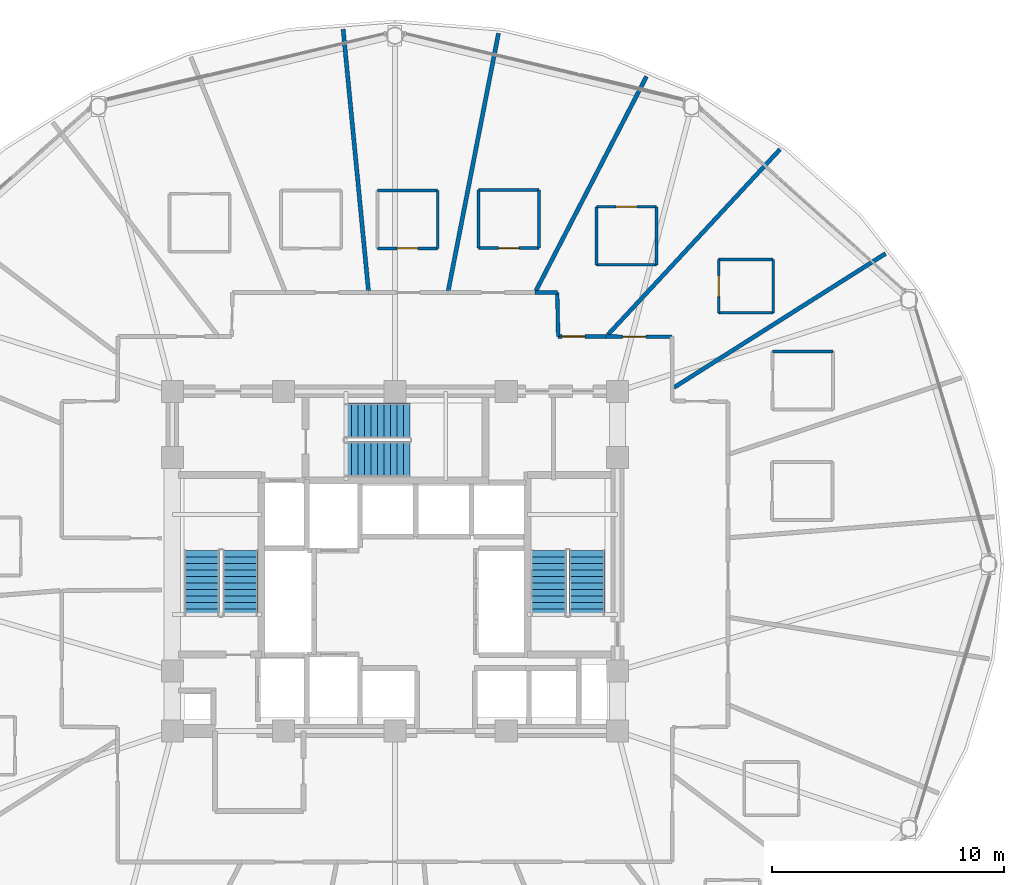
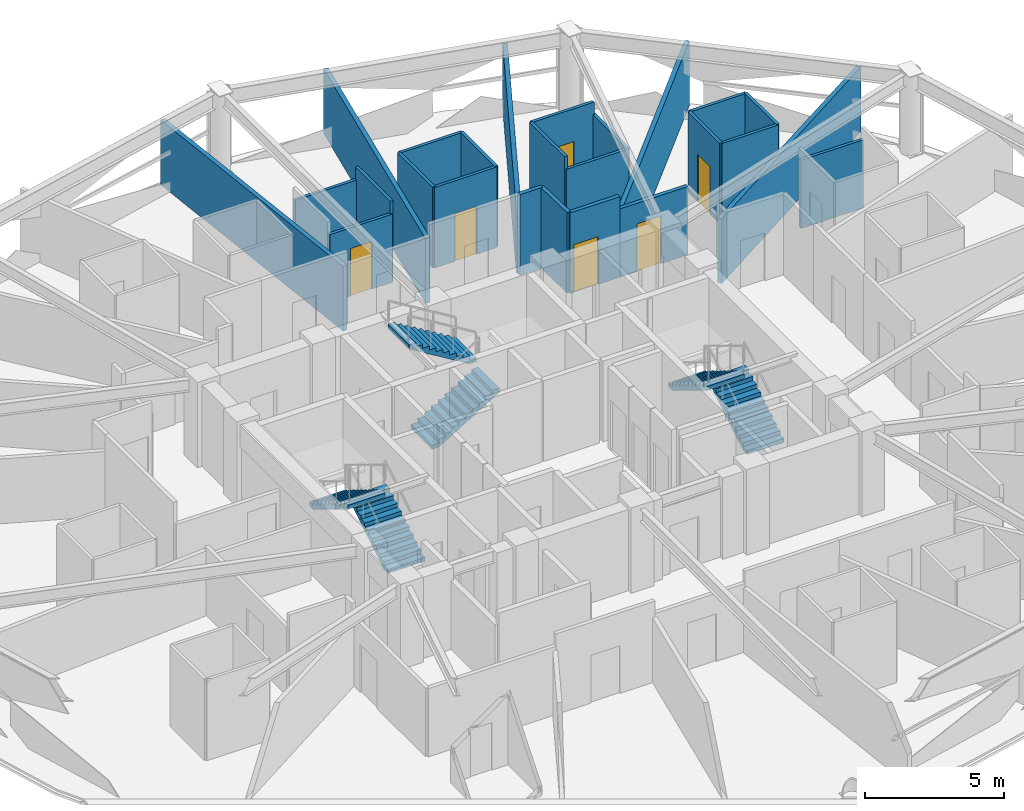
# One storey, part 28 of 32: 25 walls, 6 doors, 6 stair flights, 6 openings, 3 elements without a shape of their own.
"""IFC4 building model written with IfcOpenShell, lengths in metres."""

from ifc_helpers import new_model, si_unit, direction, frame, frame_2d, origin, place, context, subcontext, project, spatial, polyline, rectangle, outline, extrude, material, layer, layer_set, type_object, element, fill, aggregate, save


model = new_model("IFC4")

# Units and contexts
model_context = context("Model", 3, precision=1e-05, world=origin(), true_north=direction((0.0, 1.0)))
body_context = subcontext(model_context, "Body", "Model", "MODEL_VIEW")
ifc_project = project(units=[si_unit("LENGTHUNIT", "METRE"), si_unit("AREAUNIT", "SQUARE_METRE"), si_unit("VOLUMEUNIT", "CUBIC_METRE"), si_unit("PLANEANGLEUNIT", "RADIAN"), si_unit("MASSUNIT", "GRAM", prefix="KILO")], contexts=[model_context])

# Site, building, storey
site_placement = place(None, origin())
site = spatial("IfcSite", under=ifc_project, at=site_placement, CompositionType="ELEMENT")
building_placement = place(site_placement, origin())
building = spatial("IfcBuilding", under=site, at=building_placement, Name="Vantalir Tower", CompositionType="ELEMENT")
storey_placement = place(building_placement, frame((0.0, 0.0, 100.949951171875)))
storey = spatial("IfcBuildingStorey", under=building, at=storey_placement, Name="L24", CompositionType="ELEMENT", Elevation=100.949951171875)

# Walls
ifc_material_1 = material(Name="Moisture-resistant en-suite partition", Category="gypsum")
ifc_layer_1 = layer(ifc_material_1, 0.125)
ifc_layer_set_1 = layer_set([ifc_layer_1], Name="Moisture-resistant en-suite partition")
wall_type_1 = type_object("IfcWallType", Name="WL-BATH-125", PredefinedType="PARTITIONING", material=ifc_layer_set_1)
wall_1_placement = place(storey_placement, frame((47.784912109375, 34.173095703125, 0.0), z_axis=(0.0, 0.0, 1.0), x_axis=(1.0, 0.0, 0.0)))
element("IfcWall", 1, at=wall_1_placement, inside=storey, type_object=wall_type_1, Name="L24 En-suite 02 North Wall", PredefinedType="PARTITIONING", context=body_context, shape_type="SweptSolid", body=[
    extrude(rectangle(XDim=2.60009765625, YDim=0.125, at=frame_2d((1.300048828125, 0.0))), origin(), (0.0, 0.0, 1.0), 3.006103515625),
])
for number, where, z_axis, x_axis, name in (
    (2, (45.462890625, 35.837890625, 0.0), (0.0, 0.0, 1.0), (1.0, 0.0, 0.0), "L24 En-suite 03 South Wall"),
    (3, (45.462890625, 38.137939453125, 0.0), (0.0, 0.0, 1.0), (1.0, 0.0, 0.0), "L24 En-suite 03 North Wall"),
):
    element("IfcWall", number, at=place(storey_placement, frame(where, z_axis=z_axis, x_axis=x_axis)), inside=storey, type_object=wall_type_1, Name=name, PredefinedType="PARTITIONING", context=body_context, shape_type="SweptSolid", body=[
        extrude(rectangle(XDim=2.35009765625, YDim=0.125, at=frame_2d((1.175048828125, 0.0))), origin(), (0.0, 0.0, 1.0), 3.550048828125),
    ])

# Wall, opening, door
wall_2_placement = place(storey_placement, frame((45.462890625, 35.837890625, 0.0), z_axis=(0.0, 0.0, 1.0), x_axis=(0.0, 1.0, 0.0)))
wall_2 = element("IfcWall", 4, at=wall_2_placement, inside=storey, type_object=wall_type_1, Name="L24 En-suite 03 West Wall", PredefinedType="PARTITIONING", context=body_context, shape_type="SweptSolid", body=[
    extrude(rectangle(XDim=2.300048828125, YDim=0.125, at=frame_2d((1.14990234375, 0.0))), origin(), (0.0, 0.0, 1.0), 3.550048828125),
])
opening_1_placement = place(wall_2_placement, frame((0.699951171875, 0.0, 0.0)))
opening_1 = element("IfcOpeningElement", 5, at=opening_1_placement, cuts=wall_2, Name="Opening D-WC", PredefinedType="OPENING", context=body_context, shape_type="SweptSolid", body=[
    extrude(rectangle(XDim=0.89990234375, YDim=2.10009765625, at=frame_2d((0.449951171875, 1.050048828125))), frame((0.0, 0.072509765625, 0.0), z_axis=(0.0, -1.0, 0.0), x_axis=(1.0, 0.0, 0.0)), (0.0, 0.0, 1.0), 0.14501953125),
])
ifc_material_2 = material(Name="Moisture-resistant hardwood door", Category="wood")
door_type_1 = type_object("IfcDoorType", Name="DR-ENSUITE-900", OperationType="NOTDEFINED", PredefinedType="DOOR", material=ifc_material_2)
door_1_placement = place(opening_1_placement, frame((0.89990234375, 0.0, 0.0), z_axis=(0.0, 0.0, 1.0), x_axis=(-1.0, 0.0, 0.0)))
door_1 = element("IfcDoor", 6, at=door_1_placement, inside=storey, type_object=door_type_1, Name="L24 En-suite 03 Door", OperationType="SINGLE_SWING_RIGHT", OverallHeight=2.10009765625, OverallWidth=0.89990234375, PredefinedType="DOOR", context=body_context, shape_type="SweptSolid", body=[
    extrude(rectangle(XDim=0.89990234375, YDim=2.10009765625, at=frame_2d((0.449951171875, 1.050048828125))), frame((0.0, 0.02490234375, 0.0), z_axis=(0.0, -1.0, 0.0), x_axis=(1.0, 0.0, 0.0)), (0.0, 0.0, 1.0), 0.050048828125),
])
fill(opening_1, door_1)

# Walls
wall_3_placement = place(storey_placement, frame((47.81298828125, 35.837890625, 0.0), z_axis=(0.0, 0.0, 1.0), x_axis=(0.0, 1.0, 0.0)))
element("IfcWall", 7, at=wall_3_placement, inside=storey, type_object=wall_type_1, Name="L24 En-suite 03 East Wall", PredefinedType="PARTITIONING", context=body_context, shape_type="SweptSolid", body=[
    extrude(rectangle(XDim=2.300048828125, YDim=0.125, at=frame_2d((1.14990234375, 0.0))), origin(), (0.0, 0.0, 1.0), 3.550048828125),
])
wall_4_placement = place(storey_placement, frame((40.18701171875, 37.908935546875, 0.0), z_axis=(0.0, 0.0, 1.0), x_axis=(1.0, 0.0, 0.0)))
element("IfcWall", 8, at=wall_4_placement, inside=storey, type_object=wall_type_1, Name="L24 En-suite 04 South Wall", PredefinedType="PARTITIONING", context=body_context, shape_type="SweptSolid", body=[
    extrude(rectangle(XDim=2.60009765625, YDim=0.125, at=frame_2d((1.300048828125, 0.0))), origin(), (0.0, 0.0, 1.0), 3.006103515625),
])

# Wall, opening, door
wall_5_placement = place(storey_placement, frame((40.18701171875, 40.408935546875, 0.0), z_axis=(0.0, 0.0, 1.0), x_axis=(1.0, 0.0, 0.0)))
wall_5 = element("IfcWall", 9, at=wall_5_placement, inside=storey, type_object=wall_type_1, Name="L24 En-suite 04 North Wall", PredefinedType="PARTITIONING", context=body_context, shape_type="SweptSolid", body=[
    extrude(rectangle(XDim=2.60009765625, YDim=0.125, at=frame_2d((1.300048828125, 0.0))), origin(), (0.0, 0.0, 1.0), 3.550048828125),
])
opening_2_placement = place(wall_5_placement, frame((0.85009765625, 0.0, 0.0)))
opening_2 = element("IfcOpeningElement", 10, at=opening_2_placement, cuts=wall_5, Name="Opening D-WC", PredefinedType="OPENING", context=body_context, shape_type="SweptSolid", body=[
    extrude(rectangle(XDim=0.89990234375, YDim=2.10009765625, at=frame_2d((0.449951171875, 1.050048828125))), frame((0.0, 0.072509765625, 0.0), z_axis=(0.0, -1.0, 0.0), x_axis=(1.0, 0.0, 0.0)), (0.0, 0.0, 1.0), 0.14501953125),
])
door_2_placement = place(opening_2_placement, frame((0.89990234375, 0.0, 0.0), z_axis=(0.0, 0.0, 1.0), x_axis=(-1.0, 0.0, 0.0)))
door_2 = element("IfcDoor", 11, at=door_2_placement, inside=storey, type_object=door_type_1, Name="L24 En-suite 04 Door", OperationType="SINGLE_SWING_LEFT", OverallHeight=2.10009765625, OverallWidth=0.89990234375, PredefinedType="DOOR", context=body_context, shape_type="SweptSolid", body=[
    extrude(rectangle(XDim=0.89990234375, YDim=2.10009765625, at=frame_2d((0.449951171875, 1.050048828125))), frame((0.0, 0.02490234375, 0.0), z_axis=(0.0, -1.0, 0.0), x_axis=(1.0, 0.0, 0.0)), (0.0, 0.0, 1.0), 0.050048828125),
])
fill(opening_2, door_2)

# Walls
wall_6_placement = place(storey_placement, frame((40.18701171875, 37.908935546875, 0.0), z_axis=(0.0, 0.0, 1.0), x_axis=(0.0, 1.0, 0.0)))
element("IfcWall", 12, at=wall_6_placement, inside=storey, type_object=wall_type_1, Name="L24 En-suite 04 West Wall", PredefinedType="PARTITIONING", context=body_context, shape_type="SweptSolid", body=[
    extrude(rectangle(XDim=2.5, YDim=0.125, at=frame_2d((1.25, 0.0))), origin(), (0.0, 0.0, 1.0), 3.550048828125),
])
wall_7_placement = place(storey_placement, frame((42.787109375, 37.908935546875, 0.0), z_axis=(0.0, 0.0, 1.0), x_axis=(0.0, 1.0, 0.0)))
element("IfcWall", 13, at=wall_7_placement, inside=storey, type_object=wall_type_1, Name="L24 En-suite 04 East Wall", PredefinedType="PARTITIONING", context=body_context, shape_type="SweptSolid", body=[
    extrude(rectangle(XDim=2.5, YDim=0.125, at=frame_2d((1.25, 0.0))), origin(), (0.0, 0.0, 1.0), 3.006103515625),
])

# Wall, opening, door
wall_8_placement = place(storey_placement, frame((35.110107421875, 38.6259765625, 0.0), z_axis=(0.0, 0.0, 1.0), x_axis=(1.0, 0.0, 0.0)))
wall_8 = element("IfcWall", 14, at=wall_8_placement, inside=storey, type_object=wall_type_1, Name="L24 En-suite 05 South Wall", PredefinedType="PARTITIONING", context=body_context, shape_type="SweptSolid", body=[
    extrude(rectangle(XDim=2.599853515625, YDim=0.125, at=frame_2d((1.2998046875, 0.0))), origin(), (0.0, 0.0, 1.0), 3.550048828125),
])
opening_3_placement = place(wall_8_placement, frame((0.85009765625, 0.0, 0.0)))
opening_3 = element("IfcOpeningElement", 15, at=opening_3_placement, cuts=wall_8, Name="Opening D-WC", PredefinedType="OPENING", context=body_context, shape_type="SweptSolid", body=[
    extrude(rectangle(XDim=0.89990234375, YDim=2.10009765625, at=frame_2d((0.449951171875, 1.050048828125))), frame((0.0, 0.072509765625, 0.0), z_axis=(0.0, -1.0, 0.0), x_axis=(1.0, 0.0, 0.0)), (0.0, 0.0, 1.0), 0.14501953125),
])
door_3_placement = place(opening_3_placement, origin())
door_3 = element("IfcDoor", 16, at=door_3_placement, inside=storey, type_object=door_type_1, Name="L24 En-suite 05 Door", OperationType="SINGLE_SWING_RIGHT", OverallHeight=2.10009765625, OverallWidth=0.89990234375, PredefinedType="DOOR", context=body_context, shape_type="SweptSolid", body=[
    extrude(rectangle(XDim=0.89990234375, YDim=2.10009765625, at=frame_2d((0.449951171875, 1.050048828125))), frame((0.0, 0.02490234375, 0.0), z_axis=(0.0, -1.0, 0.0), x_axis=(1.0, 0.0, 0.0)), (0.0, 0.0, 1.0), 0.050048828125),
])
fill(opening_3, door_3)

# Walls
wall_9_placement = place(storey_placement, frame((35.110107421875, 41.1259765625, 0.0), z_axis=(0.0, 0.0, 1.0), x_axis=(1.0, 0.0, 0.0)))
element("IfcWall", 17, at=wall_9_placement, inside=storey, type_object=wall_type_1, Name="L24 En-suite 05 North Wall", PredefinedType="PARTITIONING", context=body_context, shape_type="SweptSolid", body=[
    extrude(rectangle(XDim=2.599853515625, YDim=0.125, at=frame_2d((1.2998046875, 0.0))), origin(), (0.0, 0.0, 1.0), 3.550048828125),
])
for number, where, z_axis, x_axis, name in (
    (18, (35.110107421875, 38.6259765625, 0.0), (0.0, 0.0, 1.0), (0.0, 1.0, 0.0), "L24 En-suite 05 West Wall"),
    (19, (37.7099609375, 38.6259765625, 0.0), (0.0, 0.0, 1.0), (0.0, 1.0, 0.0), "L24 En-suite 05 East Wall"),
):
    element("IfcWall", number, at=place(storey_placement, frame(where, z_axis=z_axis, x_axis=x_axis)), inside=storey, type_object=wall_type_1, Name=name, PredefinedType="PARTITIONING", context=body_context, shape_type="SweptSolid", body=[
        extrude(rectangle(XDim=2.5, YDim=0.125, at=frame_2d((1.25, 0.0))), origin(), (0.0, 0.0, 1.0), 3.550048828125),
    ])

# Wall, opening, door
wall_10_placement = place(storey_placement, frame((30.7451171875, 38.617919921875, 0.0), z_axis=(0.0, 0.0, 1.0), x_axis=(1.0, 0.0, 0.0)))
wall_10 = element("IfcWall", 20, at=wall_10_placement, inside=storey, type_object=wall_type_1, Name="L24 En-suite 06 South Wall", PredefinedType="PARTITIONING", context=body_context, shape_type="SweptSolid", body=[
    extrude(rectangle(XDim=2.599853515625, YDim=0.125, at=frame_2d((1.2998046875, 0.0))), origin(), (0.0, 0.0, 1.0), 3.006103515625),
])
opening_4_placement = place(wall_10_placement, frame((0.85009765625, 0.0, 0.0)))
opening_4 = element("IfcOpeningElement", 21, at=opening_4_placement, cuts=wall_10, Name="Opening D-WC", PredefinedType="OPENING", context=body_context, shape_type="SweptSolid", body=[
    extrude(rectangle(XDim=0.89990234375, YDim=2.10009765625, at=frame_2d((0.449951171875, 1.050048828125))), frame((0.0, 0.072509765625, 0.0), z_axis=(0.0, -1.0, 0.0), x_axis=(1.0, 0.0, 0.0)), (0.0, 0.0, 1.0), 0.14501953125),
])
door_4_placement = place(opening_4_placement, origin())
door_4 = element("IfcDoor", 22, at=door_4_placement, inside=storey, type_object=door_type_1, Name="L24 En-suite 06 Door", OperationType="SINGLE_SWING_LEFT", OverallHeight=2.10009765625, OverallWidth=0.89990234375, PredefinedType="DOOR", context=body_context, shape_type="SweptSolid", body=[
    extrude(rectangle(XDim=0.89990234375, YDim=2.10009765625, at=frame_2d((0.449951171875, 1.050048828125))), frame((0.0, 0.02490234375, 0.0), z_axis=(0.0, -1.0, 0.0), x_axis=(1.0, 0.0, 0.0)), (0.0, 0.0, 1.0), 0.050048828125),
])
fill(opening_4, door_4)

# Walls
wall_11_placement = place(storey_placement, frame((30.7451171875, 41.117919921875, 0.0), z_axis=(0.0, 0.0, 1.0), x_axis=(1.0, 0.0, 0.0)))
element("IfcWall", 23, at=wall_11_placement, inside=storey, type_object=wall_type_1, Name="L24 En-suite 06 North Wall", PredefinedType="PARTITIONING", context=body_context, shape_type="SweptSolid", body=[
    extrude(rectangle(XDim=2.599853515625, YDim=0.125, at=frame_2d((1.2998046875, 0.0))), origin(), (0.0, 0.0, 1.0), 3.006103515625),
])
wall_12_placement = place(storey_placement, frame((33.344970703125, 38.617919921875, 0.0), z_axis=(0.0, 0.0, 1.0), x_axis=(0.0, 1.0, 0.0)))
element("IfcWall", 24, at=wall_12_placement, inside=storey, type_object=wall_type_1, Name="L24 En-suite 06 East Wall", PredefinedType="PARTITIONING", context=body_context, shape_type="SweptSolid", body=[
    extrude(rectangle(XDim=2.5, YDim=0.125, at=frame_2d((1.25, 0.0))), origin(), (0.0, 0.0, 1.0), 3.550048828125),
])
ifc_material_3 = material(Name="Fire-rated hotel corridor acoustic partition", Category="gypsum")
ifc_layer_2 = layer(ifc_material_3, 0.159912109375)
ifc_layer_set_2 = layer_set([ifc_layer_2], Name="Fire-rated hotel corridor acoustic partition")
wall_type_2 = type_object("IfcWallType", Name="WL-CORR-160", PredefinedType="PARTITIONING", material=ifc_layer_set_2)
wall_13_placement = place(storey_placement, frame((37.5439453125, 36.715087890625, 0.0), z_axis=(0.0, 0.0, 1.0), x_axis=(1.0, 0.0, 0.0)))
element("IfcWall", 25, at=wall_13_placement, inside=storey, type_object=wall_type_2, Name="L24 Corridor Partition 14", PredefinedType="PARTITIONING", context=body_context, shape_type="SweptSolid", body=[
    extrude(rectangle(XDim=0.9560546875, YDim=0.159912109375, at=frame_2d((0.47802734375, 0.0))), origin(), (0.0, 0.0, 1.0), 3.550048828125),
])
wall_14_placement = place(storey_placement, frame((38.5, 36.715087890625, 0.0), z_axis=(0.0, 0.0, 1.0), x_axis=(0.021066889789, -0.999778068451, 0.0)))
element("IfcWall", 26, at=wall_14_placement, inside=storey, type_object=wall_type_2, Name="L24 Corridor Partition 15", PredefinedType="PARTITIONING", context=body_context, shape_type="SweptSolid", body=[
    extrude(rectangle(XDim=1.900634765625, YDim=0.159912109375, at=frame_2d((0.9501953125, 0.0))), origin(), (0.0, 0.0, 1.0), 3.550048828125),
])

# Wall, opening, door
wall_15_placement = place(storey_placement, frame((38.5400390625, 34.81494140625, 0.0), z_axis=(0.0, 0.0, 1.0), x_axis=(0.999998997337, -0.001416094875, 0.0)))
wall_15 = element("IfcWall", 27, at=wall_15_placement, inside=storey, type_object=wall_type_2, Name="L24 Corridor Partition 16", PredefinedType="PARTITIONING", context=body_context, shape_type="SweptSolid", body=[
    extrude(rectangle(XDim=2.06884765625, YDim=0.159912109375, at=frame_2d((1.034423828125, 0.0))), origin(), (0.0, 0.0, 1.0), 3.550048828125),
])
opening_5_placement = place(wall_15_placement, frame((0.159912109375, 0.0, 0.0)))
opening_5 = element("IfcOpeningElement", 28, at=opening_5_placement, cuts=wall_15, Name="Opening D-GUEST", PredefinedType="OPENING", context=body_context, shape_type="SweptSolid", body=[
    extrude(rectangle(XDim=1.0, YDim=2.10009765625, at=frame_2d((0.5, 1.050048828125))), frame((0.0, 0.08984375, 0.0), z_axis=(0.0, -1.0, 0.0), x_axis=(1.0, 0.0, 0.0)), (0.0, 0.0, 1.0), 0.179931640625),
])
ifc_material_4 = material(Name="Solid-core teak veneer acoustic fire door", Category="wood")
door_type_2 = type_object("IfcDoorType", Name="DR-GUEST-ENTRY-1000", OperationType="NOTDEFINED", PredefinedType="DOOR", material=ifc_material_4)
door_5_placement = place(opening_5_placement, origin())
door_5 = element("IfcDoor", 29, at=door_5_placement, inside=storey, type_object=door_type_2, Name="L24 Twin Queen Hotel Room 04 Door", OperationType="SINGLE_SWING_LEFT", OverallHeight=2.10009765625, OverallWidth=1.0, PredefinedType="DOOR", context=body_context, shape_type="SweptSolid", body=[
    extrude(rectangle(XDim=1.0, YDim=2.10009765625, at=frame_2d((0.5, 1.050048828125))), frame((0.0, 0.02490234375, 0.0), z_axis=(0.0, -1.0, 0.0), x_axis=(1.0, 0.0, 0.0)), (0.0, 0.0, 1.0), 0.050048828125),
])
fill(opening_5, door_5)

wall_16_placement = place(storey_placement, frame((40.60888671875, 34.81201171875, 0.0), z_axis=(0.0, 0.0, 1.0), x_axis=(0.99999905284, -0.001376342782, 0.0)))
wall_16 = element("IfcWall", 30, at=wall_16_placement, inside=storey, type_object=wall_type_2, Name="L24 Corridor Partition 17", PredefinedType="PARTITIONING", context=body_context, shape_type="SweptSolid", body=[
    extrude(rectangle(XDim=2.838134765625, YDim=0.159912109375, at=frame_2d((1.4189453125, 0.0))), origin(), (0.0, 0.0, 1.0), 3.006103515625),
])
opening_6_placement = place(wall_16_placement, frame((0.7119140625, 0.0, 0.0)))
opening_6 = element("IfcOpeningElement", 31, at=opening_6_placement, cuts=wall_16, Name="Opening D-GUEST", PredefinedType="OPENING", context=body_context, shape_type="SweptSolid", body=[
    extrude(rectangle(XDim=1.0, YDim=2.10009765625, at=frame_2d((0.5, 1.050048828125))), frame((0.0, 0.08984375, 0.0), z_axis=(0.0, -1.0, 0.0), x_axis=(1.0, 0.0, 0.0)), (0.0, 0.0, 1.0), 0.179931640625),
])
door_6_placement = place(opening_6_placement, origin())
door_6 = element("IfcDoor", 32, at=door_6_placement, inside=storey, type_object=door_type_2, Name="L24 Deluxe King Hotel Room 03 Door", OperationType="SINGLE_SWING_RIGHT", OverallHeight=2.10009765625, OverallWidth=1.0, PredefinedType="DOOR", context=body_context, shape_type="SweptSolid", body=[
    extrude(rectangle(XDim=1.0, YDim=2.10009765625, at=frame_2d((0.5, 1.050048828125))), frame((0.0, 0.02490234375, 0.0), z_axis=(0.0, -1.0, 0.0), x_axis=(1.0, 0.0, 0.0)), (0.0, 0.0, 1.0), 0.050048828125),
])
fill(opening_6, door_6)

# Walls
ifc_material_5 = material(Name="Twin-stud acoustic fire-rated gypsum partition", Category="gypsum")
ifc_layer_3 = layer(ifc_material_5, 0.179931640625)
ifc_layer_set_3 = layer_set([ifc_layer_3], Name="Twin-stud acoustic fire-rated gypsum partition")
wall_type_3 = type_object("IfcWallType", Name="WL-GUEST-180", PredefinedType="PARTITIONING", material=ifc_layer_set_3)
wall_17_placement = place(storey_placement, frame((43.5400390625, 32.62109375, 0.0), z_axis=(0.0, 0.0, 1.0), x_axis=(0.844973467663, 0.534808226326, 0.0)))
element("IfcWall", 33, at=wall_17_placement, inside=storey, type_object=wall_type_3, Name="L24 Radial Suite Partition 03", PredefinedType="PARTITIONING", context=body_context, shape_type="SweptSolid", body=[
    extrude(rectangle(XDim=10.790771484375, YDim=0.179931640625, at=frame_2d((5.3955078125, 0.0))), origin(), (0.0, 0.0, 1.0), 2.85107421875),
])
wall_18_placement = place(storey_placement, frame((40.680908203125, 34.889892578125, 0.0), z_axis=(0.0, 0.0, 1.0), x_axis=(0.680353224615, 0.732884363154, 0.0)))
element("IfcWall", 34, at=wall_18_placement, inside=storey, type_object=wall_type_3, Name="L24 Radial Suite Partition 04", PredefinedType="PARTITIONING", context=body_context, shape_type="SweptSolid", body=[
    extrude(rectangle(XDim=10.90771484375, YDim=0.179931640625, at=frame_2d((5.453857421875, 0.0))), origin(), (0.0, 0.0, 1.0), 2.85107421875),
])
wall_19_placement = place(storey_placement, frame((37.58203125, 36.7900390625, 0.0), z_axis=(0.0, 0.0, 1.0), x_axis=(0.458479587385, 0.888704938633, 0.0)))
element("IfcWall", 35, at=wall_19_placement, inside=storey, type_object=wall_type_3, Name="L24 Radial Suite Partition 05", PredefinedType="PARTITIONING", context=body_context, shape_type="SweptSolid", body=[
    extrude(rectangle(XDim=10.39501953125, YDim=0.179931640625, at=frame_2d((5.197509765625, 0.0))), origin(), (0.0, 0.0, 1.0), 2.85107421875),
])
wall_20_placement = place(storey_placement, frame((33.800048828125, 36.7900390625, 0.0), z_axis=(0.0, 0.0, 1.0), x_axis=(0.191475861955, 0.981497322609, 0.0)))
element("IfcWall", 36, at=wall_20_placement, inside=storey, type_object=wall_type_3, Name="L24 Radial Suite Partition 06", PredefinedType="PARTITIONING", context=body_context, shape_type="SweptSolid", body=[
    extrude(rectangle(XDim=11.30712890625, YDim=0.179931640625, at=frame_2d((5.653564453125, 0.0))), origin(), (0.0, 0.0, 1.0), 2.85107421875),
])
wall_21_placement = place(storey_placement, frame((30.35888671875, 36.7900390625, 0.0), z_axis=(0.0, 0.0, 1.0), x_axis=(-0.096399975134, 0.995342677069, 0.0)))
element("IfcWall", 37, at=wall_21_placement, inside=storey, type_object=wall_type_3, Name="L24 Radial Suite Partition 07", PredefinedType="PARTITIONING", context=body_context, shape_type="SweptSolid", body=[
    extrude(rectangle(XDim=11.32568359375, YDim=0.179931640625, at=frame_2d((5.662841796875, 0.0))), origin(), (0.0, 0.0, 1.0), 2.85107421875),
])

# Stair, stair flights
ifc_material_6 = material(Name="Concrete C40/50", Category="concrete")
stair_type = type_object("IfcStairType", Name="STR-CORE-1450", PredefinedType="HALF_TURN_STAIR", material=ifc_material_6)
stair_1_placement = place(storey_placement, origin())
stair_1 = element("IfcStair", 38, at=stair_1_placement, inside=storey, type_object=stair_type, Name="L24 Core Exit Stair 1", PredefinedType="HALF_TURN_STAIR")
stair_flight_type = type_object("IfcStairFlightType", Name="FLT-CORE-1450", PredefinedType="STRAIGHT", material=ifc_material_6)
stair_flight_1_placement = place(storey_placement, frame((24.830078125, 22.7900390625, 0.0), z_axis=(0.0, 0.0, 1.0), x_axis=(0.0, 1.0, 0.0)))
stair_flight_1 = element("IfcStairFlight", 39, at=stair_flight_1_placement, type_object=stair_flight_type, Name="ST1 flight 1", NumberOfRisers=11, NumberOfTreads=10, PredefinedType="STRAIGHT", RiserHeight=0.170454545, TreadLength=0.28, context=body_context, shape_type="SweptSolid", body=[
    extrude(outline(polyline([(0.0, 0.0), (0.0, 0.17041015625), (0.280029296875, 0.17041015625), (0.280029296875, 0.3408203125), (0.56005859375, 0.3408203125), (0.56005859375, 0.511474609375), (0.840087890625, 0.511474609375), (0.840087890625, 0.681884765625), (1.1201171875, 0.681884765625), (1.1201171875, 0.852294921875), (1.39990234375, 0.852294921875), (1.39990234375, 1.022705078125), (1.679931640625, 1.022705078125), (1.679931640625, 1.193115234375), (1.9599609375, 1.193115234375), (1.9599609375, 1.363525390625), (2.239990234375, 1.363525390625), (2.239990234375, 1.5341796875), (2.52001953125, 1.5341796875), (2.52001953125, 1.70458984375), (2.800048828125, 1.70458984375), (2.800048828125, 1.875), (2.800048828125, 1.529052734375), (0.288330078125, 0.0), (0.0, 0.0)])), frame((0.0, 0.77001953125, 0.0), z_axis=(0.0, -1.0, 0.0), x_axis=(1.0, 0.0, 0.0)), (0.0, 0.0, 1.0), 1.5400390625),
])
stair_flight_2_placement = place(storey_placement, frame((23.169921875, 25.590087890625, 1.875), z_axis=(0.0, 0.0, 1.0), x_axis=(0.0, -1.0, 0.0)))
stair_flight_2 = element("IfcStairFlight", 40, at=stair_flight_2_placement, type_object=stair_flight_type, Name="ST1 flight 2", NumberOfRisers=11, NumberOfTreads=10, PredefinedType="STRAIGHT", RiserHeight=0.170454545, TreadLength=0.28, context=body_context, shape_type="SweptSolid", body=[
    extrude(outline(polyline([(0.0, 0.0), (0.0, 0.17041015625), (0.280029296875, 0.17041015625), (0.280029296875, 0.3408203125), (0.56005859375, 0.3408203125), (0.56005859375, 0.511474609375), (0.840087890625, 0.511474609375), (0.840087890625, 0.681884765625), (1.1201171875, 0.681884765625), (1.1201171875, 0.852294921875), (1.39990234375, 0.852294921875), (1.39990234375, 1.022705078125), (1.679931640625, 1.022705078125), (1.679931640625, 1.193115234375), (1.9599609375, 1.193115234375), (1.9599609375, 1.363525390625), (2.239990234375, 1.363525390625), (2.239990234375, 1.5341796875), (2.52001953125, 1.5341796875), (2.52001953125, 1.70458984375), (2.800048828125, 1.70458984375), (2.800048828125, 1.875), (2.800048828125, 1.529052734375), (0.288330078125, 0.0), (0.0, 0.0)])), frame((0.0, 0.77001953125, 0.0), z_axis=(0.0, -1.0, 0.0), x_axis=(1.0, 0.0, 0.0)), (0.0, 0.0, 1.0), 1.5400390625),
])
aggregate(stair_1, [stair_flight_1, stair_flight_2])

stair_2_placement = place(storey_placement, origin())
stair_2 = element("IfcStair", 41, at=stair_2_placement, inside=storey, type_object=stair_type, Name="L24 Core Exit Stair 2", PredefinedType="HALF_TURN_STAIR")
stair_flight_3_placement = place(storey_placement, frame((39.780029296875, 22.7900390625, 0.0), z_axis=(0.0, 0.0, 1.0), x_axis=(0.0, 1.0, 0.0)))
stair_flight_3 = element("IfcStairFlight", 42, at=stair_flight_3_placement, type_object=stair_flight_type, Name="ST2 flight 1", NumberOfRisers=11, NumberOfTreads=10, PredefinedType="STRAIGHT", RiserHeight=0.170454545, TreadLength=0.28, context=body_context, shape_type="SweptSolid", body=[
    extrude(outline(polyline([(0.0, 0.0), (0.0, 0.17041015625), (0.280029296875, 0.17041015625), (0.280029296875, 0.3408203125), (0.56005859375, 0.3408203125), (0.56005859375, 0.511474609375), (0.840087890625, 0.511474609375), (0.840087890625, 0.681884765625), (1.1201171875, 0.681884765625), (1.1201171875, 0.852294921875), (1.39990234375, 0.852294921875), (1.39990234375, 1.022705078125), (1.679931640625, 1.022705078125), (1.679931640625, 1.193115234375), (1.9599609375, 1.193115234375), (1.9599609375, 1.363525390625), (2.239990234375, 1.363525390625), (2.239990234375, 1.5341796875), (2.52001953125, 1.5341796875), (2.52001953125, 1.70458984375), (2.800048828125, 1.70458984375), (2.800048828125, 1.875), (2.800048828125, 1.529052734375), (0.288330078125, 0.0), (0.0, 0.0)])), frame((0.0, 0.77001953125, 0.0), z_axis=(0.0, -1.0, 0.0), x_axis=(1.0, 0.0, 0.0)), (0.0, 0.0, 1.0), 1.5400390625),
])
stair_flight_4_placement = place(storey_placement, frame((38.1201171875, 25.590087890625, 1.875), z_axis=(0.0, 0.0, 1.0), x_axis=(0.0, -1.0, 0.0)))
stair_flight_4 = element("IfcStairFlight", 43, at=stair_flight_4_placement, type_object=stair_flight_type, Name="ST2 flight 2", NumberOfRisers=11, NumberOfTreads=10, PredefinedType="STRAIGHT", RiserHeight=0.170454545, TreadLength=0.28, context=body_context, shape_type="SweptSolid", body=[
    extrude(outline(polyline([(0.0, 0.0), (0.0, 0.17041015625), (0.280029296875, 0.17041015625), (0.280029296875, 0.3408203125), (0.56005859375, 0.3408203125), (0.56005859375, 0.511474609375), (0.840087890625, 0.511474609375), (0.840087890625, 0.681884765625), (1.1201171875, 0.681884765625), (1.1201171875, 0.852294921875), (1.39990234375, 0.852294921875), (1.39990234375, 1.022705078125), (1.679931640625, 1.022705078125), (1.679931640625, 1.193115234375), (1.9599609375, 1.193115234375), (1.9599609375, 1.363525390625), (2.239990234375, 1.363525390625), (2.239990234375, 1.5341796875), (2.52001953125, 1.5341796875), (2.52001953125, 1.70458984375), (2.800048828125, 1.70458984375), (2.800048828125, 1.875), (2.800048828125, 1.529052734375), (0.288330078125, 0.0), (0.0, 0.0)])), frame((0.0, 0.77001953125, 0.0), z_axis=(0.0, -1.0, 0.0), x_axis=(1.0, 0.0, 0.0)), (0.0, 0.0, 1.0), 1.5400390625),
])
aggregate(stair_2, [stair_flight_3, stair_flight_4])

stair_3_placement = place(storey_placement, origin())
stair_3 = element("IfcStair", 44, at=stair_3_placement, inside=storey, type_object=stair_type, Name="L24 Core Exit Stair 3", PredefinedType="HALF_TURN_STAIR")
stair_flight_5_placement = place(storey_placement, frame((29.340087890625, 29.52001953125, 0.0), z_axis=(0.0, 0.0, 1.0), x_axis=(1.0, 0.0, 0.0)))
stair_flight_5 = element("IfcStairFlight", 45, at=stair_flight_5_placement, type_object=stair_flight_type, Name="ST3 flight 1", NumberOfRisers=11, NumberOfTreads=10, PredefinedType="STRAIGHT", RiserHeight=0.170454545, TreadLength=0.28, context=body_context, shape_type="SweptSolid", body=[
    extrude(outline(polyline([(0.0, 0.0), (0.0, 0.17041015625), (0.280029296875, 0.17041015625), (0.280029296875, 0.3408203125), (0.56005859375, 0.3408203125), (0.56005859375, 0.511474609375), (0.840087890625, 0.511474609375), (0.840087890625, 0.681884765625), (1.1201171875, 0.681884765625), (1.1201171875, 0.852294921875), (1.39990234375, 0.852294921875), (1.39990234375, 1.022705078125), (1.679931640625, 1.022705078125), (1.679931640625, 1.193115234375), (1.9599609375, 1.193115234375), (1.9599609375, 1.363525390625), (2.239990234375, 1.363525390625), (2.239990234375, 1.5341796875), (2.52001953125, 1.5341796875), (2.52001953125, 1.70458984375), (2.800048828125, 1.70458984375), (2.800048828125, 1.875), (2.800048828125, 1.529052734375), (0.288330078125, 0.0), (0.0, 0.0)])), frame((0.0, 0.77001953125, 0.0), z_axis=(0.0, -1.0, 0.0), x_axis=(1.0, 0.0, 0.0)), (0.0, 0.0, 1.0), 1.5400390625),
])
stair_flight_6_placement = place(storey_placement, frame((32.139892578125, 31.179931640625, 1.875), z_axis=(0.0, 0.0, 1.0), x_axis=(-1.0, 0.0, 0.0)))
stair_flight_6 = element("IfcStairFlight", 46, at=stair_flight_6_placement, type_object=stair_flight_type, Name="ST3 flight 2", NumberOfRisers=11, NumberOfTreads=10, PredefinedType="STRAIGHT", RiserHeight=0.170454545, TreadLength=0.28, context=body_context, shape_type="SweptSolid", body=[
    extrude(outline(polyline([(0.0, 0.0), (0.0, 0.17041015625), (0.280029296875, 0.17041015625), (0.280029296875, 0.3408203125), (0.56005859375, 0.3408203125), (0.56005859375, 0.511474609375), (0.840087890625, 0.511474609375), (0.840087890625, 0.681884765625), (1.1201171875, 0.681884765625), (1.1201171875, 0.852294921875), (1.39990234375, 0.852294921875), (1.39990234375, 1.022705078125), (1.679931640625, 1.022705078125), (1.679931640625, 1.193115234375), (1.9599609375, 1.193115234375), (1.9599609375, 1.363525390625), (2.239990234375, 1.363525390625), (2.239990234375, 1.5341796875), (2.52001953125, 1.5341796875), (2.52001953125, 1.70458984375), (2.800048828125, 1.70458984375), (2.800048828125, 1.875), (2.800048828125, 1.529052734375), (0.288330078125, 0.0), (0.0, 0.0)])), frame((0.0, 0.77001953125, 0.0), z_axis=(0.0, -1.0, 0.0), x_axis=(1.0, 0.0, 0.0)), (0.0, 0.0, 1.0), 1.5400390625),
])
aggregate(stair_3, [stair_flight_5, stair_flight_6])

save(model, "model.ifc")
